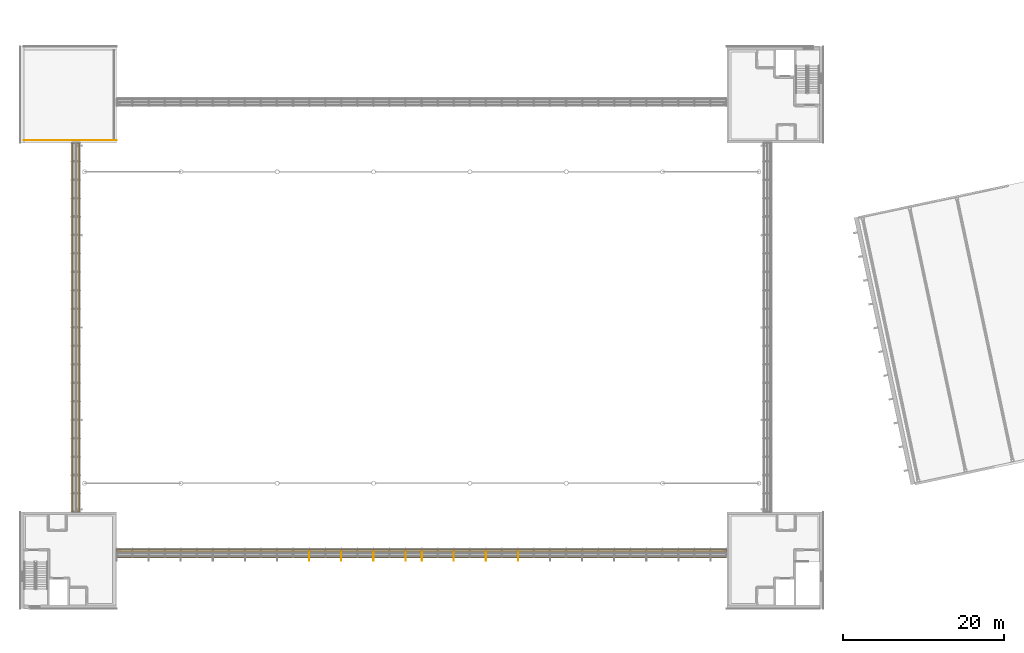
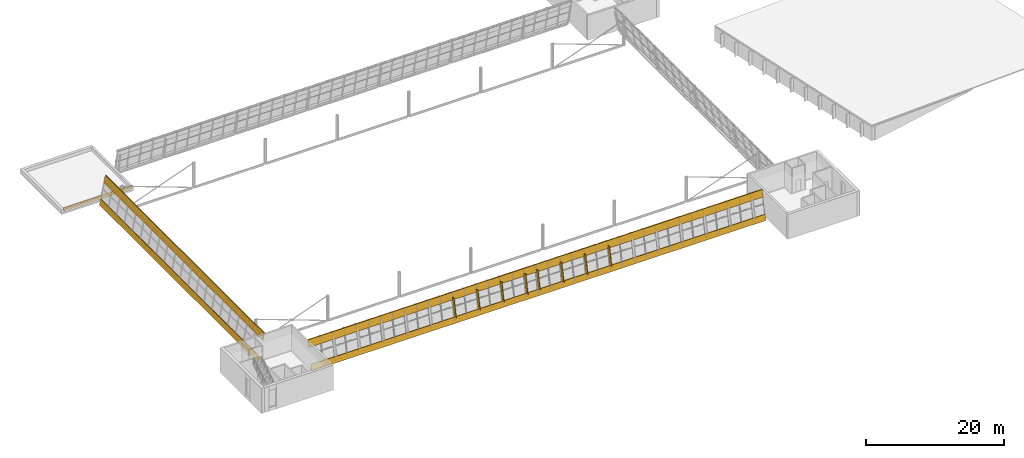
# One storey, part 44 of 50: 8 shading devices, 5 coverings.
"""IFC4 building model written with IfcOpenShell, lengths in metres."""

from ifc_helpers import new_model, si_unit, direction, frame, origin, origin_2d, place, context, subcontext, project, spatial, polyline, rectangle, outline, extrude, material, layer, layer_set, material_profile, profile_set, type_object, element, save


model = new_model("IFC4")

# Units and contexts
model_context = context("Model", 3, precision=1e-05, world=origin(), true_north=direction((0.0, 1.0)))
body_context = subcontext(model_context, "Body", "Model", "MODEL_VIEW")
ifc_project = project(units=[si_unit("LENGTHUNIT", "METRE"), si_unit("AREAUNIT", "SQUARE_METRE"), si_unit("VOLUMEUNIT", "CUBIC_METRE"), si_unit("PLANEANGLEUNIT", "RADIAN"), si_unit("MASSUNIT", "GRAM", prefix="KILO")], contexts=[model_context])

# Site, building, storey
site_placement = place(None, origin())
site = spatial("IfcSite", under=ifc_project, at=site_placement, CompositionType="ELEMENT")
building_placement = place(site_placement, origin())
building = spatial("IfcBuilding", under=site, at=building_placement, Name="Windward Yard Aquatics Centre", CompositionType="ELEMENT")
storey_placement = place(building_placement, frame((0.0, 0.0, 18.199951171875)))
storey = spatial("IfcBuildingStorey", under=building, at=storey_placement, Name="L04", CompositionType="ELEMENT", Elevation=18.199951171875)

# Shading devices
ifc_material_1 = material(Name="Aluminium plate 6061-T6 anodised", Category="aluminium")
ifc_material_profile = material_profile(ifc_material_1, rectangle(XDim=0.011962890625, YDim=0.60009765625, at=origin_2d()), Name="H eave fin aluminium 12x600")
ifc_profile_set = profile_set([ifc_material_profile], Name="Aluminium plate 6061-T6 anodised")
shading_device_type = type_object("IfcShadingDeviceType", Name="H eave fin aluminium 12x600", PredefinedType="USERDEFINED", material=ifc_profile_set)
for number, where, z_axis, x_axis, name in (
    (1, (87.996826171875, 32.24267578125, 0.665771484375), (0.0, 0.199392753215, 0.979919654852), (-1.0, 0.0, 0.0), "Eave fin S A7"),
    (2, (91.996337890625, 32.24267578125, 0.665771484375), (0.0, 0.199392753215, 0.979919654852), (-1.0, 0.0, 0.0), "Eave fin S A8"),
    (3, (95.995849609375, 32.24267578125, 0.665771484375), (0.0, 0.199392753215, 0.979919654852), (-1.0, 0.0, 0.0), "Eave fin S A9"),
    (4, (99.995361328125, 32.24267578125, 0.665771484375), (0.0, 0.199392753215, 0.979919654852), (-1.0, 0.0, 0.0), "Eave fin S A10"),
    (5, (102.03759765625, 32.24267578125, 0.665771484375), (0.0, 0.199392753215, 0.979919654852), (-1.0, 0.0, 0.0), "Eave fin S B1"),
    (6, (106.00439453125, 32.24267578125, 0.665771484375), (0.0, 0.199392753215, 0.979919654852), (-1.0, 0.0, 0.0), "Eave fin S B2"),
    (7, (110.00390625, 32.24267578125, 0.665771484375), (0.0, 0.199392753215, 0.979919654852), (-1.0, 0.0, 0.0), "Eave fin S B3"),
    (8, (114.00341796875, 32.24267578125, 0.665771484375), (0.0, 0.199392753215, 0.979919654852), (-1.0, 0.0, 0.0), "Eave fin S B4"),
):
    element("IfcShadingDevice", number, at=place(storey_placement, frame(where, z_axis=z_axis, x_axis=x_axis)), inside=storey, type_object=shading_device_type, Name=name, ObjectType="FIN", PredefinedType="USERDEFINED", context=body_context, shape_type="SweptSolid", body=[
        extrude(rectangle(XDim=0.011962890625, YDim=0.60009765625, at=origin_2d()), origin(), (0.0, 0.0, 1.0), 3.136962890625),
    ])

# Coverings
ifc_material_2 = material(Name="Natural limestone cladding", Category="masonry")
ifc_layer_1 = layer(ifc_material_2, 0.0400390625)
ifc_layer_set_1 = layer_set([ifc_layer_1], Name="H natural stone cladding 40")
covering_type_1 = type_object("IfcCoveringType", Name="H natural stone cladding 40", PredefinedType="CLADDING", material=ifc_layer_set_1)
covering_1_placement = place(storey_placement, frame((0.0, 0.0, 0.25)))
element("IfcCovering", 9, at=covering_1_placement, inside=storey, type_object=covering_type_1, Name="Stone cladding panel 6", PredefinedType="CLADDING", context=body_context, shape_type="SweptSolid", body=[
    extrude(outline(polyline([(52.449951171875, 84.300048828125), (64.0, 84.300048828125), (64.0, 84.340087890625), (52.449951171875, 84.340087890625), (52.449951171875, 84.300048828125)])), origin(), (0.0, 0.0, 1.0), 0.60009765625),
])
ifc_layer_2 = layer(ifc_material_2, 0.125)
ifc_layer_set_2 = layer_set([ifc_layer_2], Name="H tier stone band 125")
covering_type_2 = type_object("IfcCoveringType", Name="H tier stone band 125", PredefinedType="CLADDING", material=ifc_layer_set_2)
covering_2_placement = place(storey_placement, frame((64.0, 26.0, 4.400146484375), z_axis=(1.0, 0.0, 0.0), x_axis=(0.0, 1.0, 0.0)))
element("IfcCovering", 10, at=covering_2_placement, inside=storey, type_object=covering_type_2, Name="Tier 2 edge fascia S", PredefinedType="CLADDING", context=body_context, shape_type="SweptSolid", body=[
    extrude(outline(polyline([(7.064453125, -1.199951171875), (7.19189453125, -1.199951171875), (7.43603515625, 0.0), (7.30859375, 0.0), (7.064453125, -1.199951171875)])), origin(), (0.0, 0.0, 1.0), 76.0),
])
covering_3_placement = place(storey_placement, frame((52.0, 38.0, 4.400146484375), z_axis=(0.0, 1.0, 0.0), x_axis=(-1.0, 0.0, 0.0)))
element("IfcCovering", 11, at=covering_3_placement, inside=storey, type_object=covering_type_2, Name="Tier 2 edge fascia W", PredefinedType="CLADDING", context=body_context, shape_type="SweptSolid", body=[
    extrude(outline(polyline([(-7.064453125, -1.199951171875), (-7.19189453125, -1.199951171875), (-7.43603515625, 0.0), (-7.30859375, 0.0), (-7.064453125, -1.199951171875)])), origin(), (0.0, 0.0, 1.0), 46.0),
])
covering_4_placement = place(storey_placement, frame((64.0, 26.0, 4.400146484375), z_axis=(1.0, 0.0, 0.0), x_axis=(0.0, 1.0, 0.0)))
element("IfcCovering", 12, at=covering_4_placement, inside=storey, type_object=covering_type_2, Name="Tier 2 spandrel band S", PredefinedType="CLADDING", context=body_context, shape_type="SweptSolid", body=[
    extrude(outline(polyline([(6.3115234375, -4.89990234375), (6.439208984375, -4.89990234375), (6.642578125, -3.89990234375), (6.51513671875, -3.89990234375), (6.3115234375, -4.89990234375)])), origin(), (0.0, 0.0, 1.0), 76.0),
])
covering_5_placement = place(storey_placement, frame((52.0, 38.0, 4.400146484375), z_axis=(0.0, 1.0, 0.0), x_axis=(-1.0, 0.0, 0.0)))
element("IfcCovering", 13, at=covering_5_placement, inside=storey, type_object=covering_type_2, Name="Tier 2 spandrel band W", PredefinedType="CLADDING", context=body_context, shape_type="SweptSolid", body=[
    extrude(outline(polyline([(-6.3115234375, -4.89990234375), (-6.439208984375, -4.89990234375), (-6.642578125, -3.89990234375), (-6.51513671875, -3.89990234375), (-6.3115234375, -4.89990234375)])), origin(), (0.0, 0.0, 1.0), 46.0),
])

save(model, "model.ifc")
